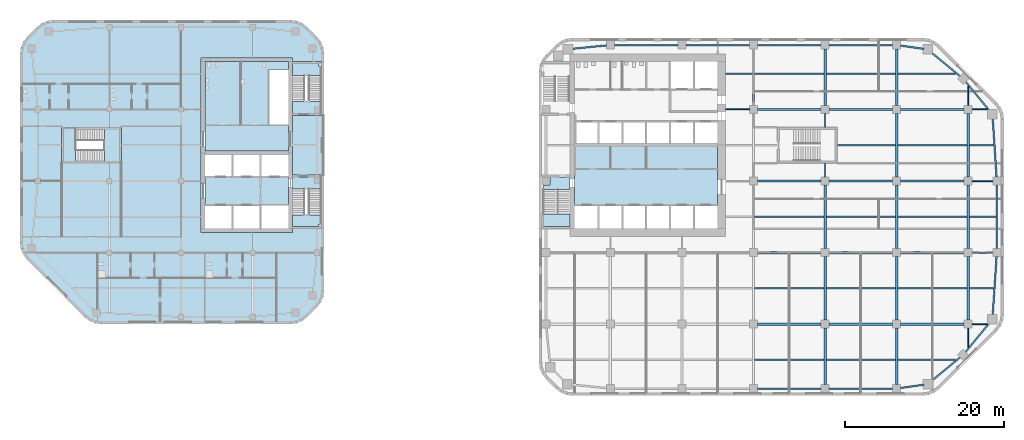
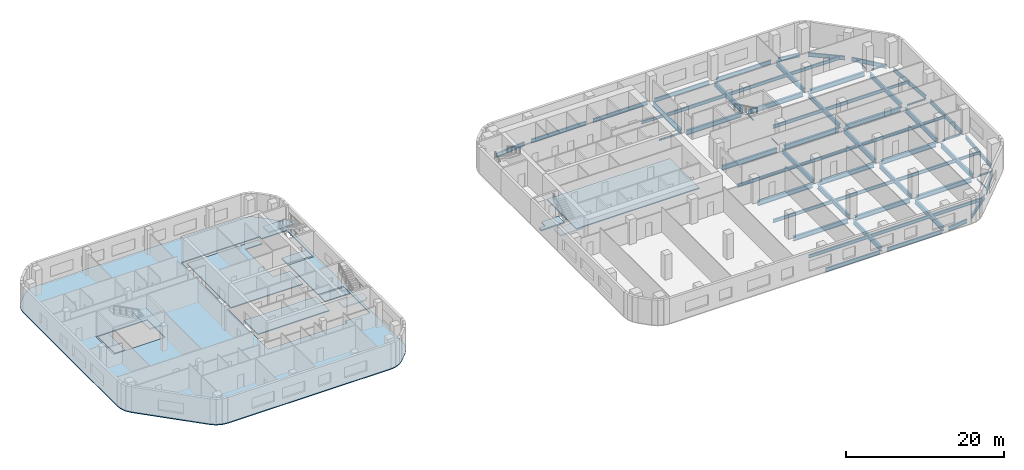
# One storey, part 3 of 15: 68 beams, 12 slabs, 4 elements without a shape of their own.
"""IFC4 building model written with IfcOpenShell, lengths in metres."""

from ifc_helpers import new_model, si_unit, direction, frame, origin, origin_2d, place, context, subcontext, project, spatial, polyline, i_section, outline, extrude, material, layer, layer_set, material_profile, profile_set, type_object, element, aggregate, save


model = new_model("IFC4")

# Units and contexts
model_context = context("Model", 3, precision=1e-05, world=origin(), true_north=direction((0.0, 1.0)))
body_context = subcontext(model_context, "Body", "Model", "MODEL_VIEW")
ifc_project = project(units=[si_unit("LENGTHUNIT", "METRE"), si_unit("AREAUNIT", "SQUARE_METRE"), si_unit("VOLUMEUNIT", "CUBIC_METRE"), si_unit("PLANEANGLEUNIT", "RADIAN"), si_unit("MASSUNIT", "GRAM", prefix="KILO")], contexts=[model_context])

# Site, building, storey
site_placement = place(None, origin())
site = spatial("IfcSite", under=ifc_project, at=site_placement, CompositionType="ELEMENT")
building_placement = place(site_placement, origin())
building = spatial("IfcBuilding", under=site, at=building_placement, Name="Cinnabar Reach Civic Tower", CompositionType="ELEMENT")
storey_placement = place(building_placement, frame((0.0, 0.0, 87.0)))
storey = spatial("IfcBuildingStorey", under=building, at=storey_placement, Name="L20", CompositionType="ELEMENT", Elevation=87.0)

# Beams
ifc_material_1 = material(Name="Steel Q355B", Category="steel")
ifc_material_profile_1 = material_profile(ifc_material_1, i_section(OverallWidth=0.099, OverallDepth=0.198, WebThickness=0.0045, FlangeThickness=0.007, FilletRadius=0.013, at=origin_2d()), Name="HN200x100x5.5x8")
ifc_profile_set_1 = profile_set([ifc_material_profile_1], Name="Steel Q355B")
beam_type_1 = type_object("IfcBeamType", Name="HN200x100x5.5x8 beam R 180", PredefinedType="BEAM", material=ifc_profile_set_1)
for number, where, z_axis, x_axis, name in (
    (1, (36.0, 27.502, -0.249), (0.0, 1.0, 0.0), (-1.0, 0.0, 0.0), "Girder T1 L20 15"),
    (2, (36.0, 33.752, -0.249), (0.0, 1.0, 0.0), (-1.0, 0.0, 0.0), "Girder T1 L20 16"),
):
    element("IfcBeam", number, at=place(storey_placement, frame(where, z_axis=z_axis, x_axis=x_axis)), inside=storey, type_object=beam_type_1, Name=name, PredefinedType="BEAM", context=body_context, shape_type="SweptSolid", body=[
        extrude(i_section(OverallWidth=0.099, OverallDepth=0.198, WebThickness=0.0045, FlangeThickness=0.007, FilletRadius=0.013, at=origin_2d()), origin(), (0.0, 0.0, 1.0), 1.746),
    ])
for number, where, z_axis, x_axis, name in (
    (3, (54.0, 6.0682, -0.249), (0.0, 1.0, 0.0), (-1.0, 0.0, 0.0), "Girder T1 L20 23"),
    (4, (54.0, 36.502, -0.249), (0.0, 1.0, 0.0), (-1.0, 0.0, 0.0), "Girder T1 L20 27"),
):
    element("IfcBeam", number, at=place(storey_placement, frame(where, z_axis=z_axis, x_axis=x_axis)), inside=storey, type_object=beam_type_1, Name=name, PredefinedType="BEAM", context=body_context, shape_type="SweptSolid", body=[
        extrude(i_section(OverallWidth=0.099, OverallDepth=0.198, WebThickness=0.0045, FlangeThickness=0.007, FilletRadius=0.013, at=origin_2d()), origin(), (0.0, 0.0, 1.0), 2.4298),
    ])
ifc_material_profile_2 = material_profile(ifc_material_1, i_section(OverallWidth=0.124, OverallDepth=0.248, WebThickness=0.005, FlangeThickness=0.008, FilletRadius=0.013, at=origin_2d()), Name="HN250x125x6x9")
ifc_profile_set_2 = profile_set([ifc_material_profile_2], Name="Steel Q355B")
beam_type_2 = type_object("IfcBeamType", Name="HN250x125x6x9 beam R 180", PredefinedType="BEAM", material=ifc_profile_set_2)
beam_1_placement = place(storey_placement, frame((54.502, 9.0, -0.274), z_axis=(1.0, 0.0, 0.0), x_axis=(0.0, 1.0, 0.0)))
element("IfcBeam", 5, at=beam_1_placement, inside=storey, type_object=beam_type_2, Name="Girder T1 L20 7", PredefinedType="BEAM", context=body_context, shape_type="SweptSolid", body=[
    extrude(i_section(OverallWidth=0.124, OverallDepth=0.248, WebThickness=0.005, FlangeThickness=0.008, FilletRadius=0.013, at=origin_2d()), origin(), (0.0, 0.0, 1.0), 1.9162),
])
for number, where, z_axis, x_axis, name in (
    (6, (54.502, 18.0, -0.274), (1.0, 0.0, 0.0), (0.0, 1.0, 0.0), "Girder T1 L20 14"),
    (7, (54.502, 27.0, -0.274), (1.0, 0.0, 0.0), (0.0, 1.0, 0.0), "Girder T1 L20 19"),
):
    element("IfcBeam", number, at=place(storey_placement, frame(where, z_axis=z_axis, x_axis=x_axis)), inside=storey, type_object=beam_type_2, Name=name, PredefinedType="BEAM", context=body_context, shape_type="SweptSolid", body=[
        extrude(i_section(OverallWidth=0.124, OverallDepth=0.248, WebThickness=0.005, FlangeThickness=0.008, FilletRadius=0.013, at=origin_2d()), origin(), (0.0, 0.0, 1.0), 2.596),
    ])
beam_2_placement = place(storey_placement, frame((23.502, 36.0, -0.274), z_axis=(1.0, 0.0, 0.0), x_axis=(0.0, 1.0, 0.0)))
element("IfcBeam", 8, at=beam_2_placement, inside=storey, type_object=beam_type_2, Name="Girder T1 L20 20", PredefinedType="BEAM", context=body_context, shape_type="SweptSolid", body=[
    extrude(i_section(OverallWidth=0.124, OverallDepth=0.248, WebThickness=0.005, FlangeThickness=0.008, FilletRadius=0.013, at=origin_2d()), origin(), (0.0, 0.0, 1.0), 2.996),
])
beam_3_placement = place(storey_placement, frame((54.502, 36.0, -0.274), z_axis=(1.0, 0.0, 0.0), x_axis=(0.0, 1.0, 0.0)))
element("IfcBeam", 9, at=beam_3_placement, inside=storey, type_object=beam_type_2, Name="Girder T1 L20 24", PredefinedType="BEAM", context=body_context, shape_type="SweptSolid", body=[
    extrude(i_section(OverallWidth=0.124, OverallDepth=0.248, WebThickness=0.005, FlangeThickness=0.008, FilletRadius=0.013, at=origin_2d()), origin(), (0.0, 0.0, 1.0), 1.9162),
])
ifc_material_profile_3 = material_profile(ifc_material_1, i_section(OverallWidth=0.2, OverallDepth=0.4, WebThickness=0.008, FlangeThickness=0.013, FilletRadius=0.016, at=origin_2d()), Name="HN400x200x8x13")
ifc_profile_set_3 = profile_set([ifc_material_profile_3], Name="Steel Q355B")
beam_type_3 = type_object("IfcBeamType", Name="HN400x200x8x13 beam R 180", PredefinedType="BEAM", material=ifc_profile_set_3)
beam_4_placement = place(storey_placement, frame((54.152, 13.5, -0.35), z_axis=(1.0, 0.0, 0.0), x_axis=(0.0, 1.0, 0.0)))
element("IfcBeam", 10, at=beam_4_placement, inside=storey, type_object=beam_type_3, Name="Secondary beam T1 L20 13", PredefinedType="BEAM", context=body_context, shape_type="SweptSolid", body=[
    extrude(i_section(OverallWidth=0.2, OverallDepth=0.4, WebThickness=0.008, FlangeThickness=0.013, FilletRadius=0.016, at=origin_2d()), origin(), (0.0, 0.0, 1.0), 3.0494),
])
beam_5_placement = place(storey_placement, frame((54.152, 22.5, -0.35), z_axis=(1.0, 0.0, 0.0), x_axis=(0.0, 1.0, 0.0)))
element("IfcBeam", 11, at=beam_5_placement, inside=storey, type_object=beam_type_3, Name="Secondary beam T1 L20 18", PredefinedType="BEAM", context=body_context, shape_type="SweptSolid", body=[
    extrude(i_section(OverallWidth=0.2, OverallDepth=0.4, WebThickness=0.008, FlangeThickness=0.013, FilletRadius=0.016, at=origin_2d()), origin(), (0.0, 0.0, 1.0), 3.346),
])
beam_6_placement = place(storey_placement, frame((54.152, 31.5, -0.35), z_axis=(1.0, 0.0, 0.0), x_axis=(0.0, 1.0, 0.0)))
element("IfcBeam", 12, at=beam_6_placement, inside=storey, type_object=beam_type_3, Name="Secondary beam T1 L20 24", PredefinedType="BEAM", context=body_context, shape_type="SweptSolid", body=[
    extrude(i_section(OverallWidth=0.2, OverallDepth=0.4, WebThickness=0.008, FlangeThickness=0.013, FilletRadius=0.016, at=origin_2d()), origin(), (0.0, 0.0, 1.0), 3.0494),
])
beam_7_placement = place(storey_placement, frame((23.502, 40.5, -0.35), z_axis=(1.0, 0.0, 0.0), x_axis=(0.0, 1.0, 0.0)))
element("IfcBeam", 13, at=beam_7_placement, inside=storey, type_object=beam_type_3, Name="Secondary beam T1 L20 25", PredefinedType="BEAM", context=body_context, shape_type="SweptSolid", body=[
    extrude(i_section(OverallWidth=0.2, OverallDepth=0.4, WebThickness=0.008, FlangeThickness=0.013, FilletRadius=0.016, at=origin_2d()), origin(), (0.0, 0.0, 1.0), 3.346),
])
ifc_material_profile_4 = material_profile(ifc_material_1, i_section(OverallWidth=0.2, OverallDepth=0.5, WebThickness=0.01, FlangeThickness=0.016, FilletRadius=0.016, at=origin_2d()), Name="HN500x200x10x16")
ifc_profile_set_4 = profile_set([ifc_material_profile_4], Name="Steel Q355B")
beam_type_4 = type_object("IfcBeamType", Name="HN500x200x10x16 beam R 180", PredefinedType="BEAM", material=ifc_profile_set_4)
for number, where, z_axis, x_axis, name in (
    (14, (27.152, 4.5, -0.4), (1.0, 0.0, 0.0), (0.0, 1.0, 0.0), "Secondary beam T1 L20 4"),
    (15, (36.152, 4.5, -0.4), (1.0, 0.0, 0.0), (0.0, 1.0, 0.0), "Secondary beam T1 L20 5"),
):
    element("IfcBeam", number, at=place(storey_placement, frame(where, z_axis=z_axis, x_axis=x_axis)), inside=storey, type_object=beam_type_4, Name=name, PredefinedType="BEAM", context=body_context, shape_type="SweptSolid", body=[
        extrude(i_section(OverallWidth=0.2, OverallDepth=0.5, WebThickness=0.01, FlangeThickness=0.016, FilletRadius=0.016, at=origin_2d()), origin(), (0.0, 0.0, 1.0), 8.696),
    ])
beam_8_placement = place(storey_placement, frame((45.152, 4.5, -0.4), z_axis=(1.0, 0.0, 0.0), x_axis=(0.0, 1.0, 0.0)))
element("IfcBeam", 16, at=beam_8_placement, inside=storey, type_object=beam_type_4, Name="Secondary beam T1 L20 6", PredefinedType="BEAM", context=body_context, shape_type="SweptSolid", body=[
    extrude(i_section(OverallWidth=0.2, OverallDepth=0.5, WebThickness=0.01, FlangeThickness=0.016, FilletRadius=0.016, at=origin_2d()), origin(), (0.0, 0.0, 1.0), 7.2798),
])
for number, where, z_axis, x_axis, name in (
    (17, (27.152, 13.5, -0.4), (1.0, 0.0, 0.0), (0.0, 1.0, 0.0), "Secondary beam T1 L20 10"),
    (18, (36.152, 13.5, -0.4), (1.0, 0.0, 0.0), (0.0, 1.0, 0.0), "Secondary beam T1 L20 11"),
    (19, (45.152, 13.5, -0.4), (1.0, 0.0, 0.0), (0.0, 1.0, 0.0), "Secondary beam T1 L20 12"),
    (20, (27.152, 22.5, -0.4), (1.0, 0.0, 0.0), (0.0, 1.0, 0.0), "Secondary beam T1 L20 15"),
    (21, (36.152, 22.5, -0.4), (1.0, 0.0, 0.0), (0.0, 1.0, 0.0), "Secondary beam T1 L20 16"),
    (22, (45.152, 22.5, -0.4), (1.0, 0.0, 0.0), (0.0, 1.0, 0.0), "Secondary beam T1 L20 17"),
):
    element("IfcBeam", number, at=place(storey_placement, frame(where, z_axis=z_axis, x_axis=x_axis)), inside=storey, type_object=beam_type_4, Name=name, PredefinedType="BEAM", context=body_context, shape_type="SweptSolid", body=[
        extrude(i_section(OverallWidth=0.2, OverallDepth=0.5, WebThickness=0.01, FlangeThickness=0.016, FilletRadius=0.016, at=origin_2d()), origin(), (0.0, 0.0, 1.0), 8.696),
    ])
beam_9_placement = place(storey_placement, frame((37.502, 31.5, -0.4), z_axis=(1.0, 0.0, 0.0), x_axis=(0.0, 1.0, 0.0)))
element("IfcBeam", 23, at=beam_9_placement, inside=storey, type_object=beam_type_4, Name="Secondary beam T1 L20 22", PredefinedType="BEAM", context=body_context, shape_type="SweptSolid", body=[
    extrude(i_section(OverallWidth=0.2, OverallDepth=0.5, WebThickness=0.01, FlangeThickness=0.016, FilletRadius=0.016, at=origin_2d()), origin(), (0.0, 0.0, 1.0), 7.346),
])
for number, where, z_axis, x_axis, name in (
    (24, (45.152, 31.5, -0.4), (1.0, 0.0, 0.0), (0.0, 1.0, 0.0), "Secondary beam T1 L20 23"),
    (25, (27.152, 40.5, -0.4), (1.0, 0.0, 0.0), (0.0, 1.0, 0.0), "Secondary beam T1 L20 26"),
    (26, (36.152, 40.5, -0.4), (1.0, 0.0, 0.0), (0.0, 1.0, 0.0), "Secondary beam T1 L20 27"),
):
    element("IfcBeam", number, at=place(storey_placement, frame(where, z_axis=z_axis, x_axis=x_axis)), inside=storey, type_object=beam_type_4, Name=name, PredefinedType="BEAM", context=body_context, shape_type="SweptSolid", body=[
        extrude(i_section(OverallWidth=0.2, OverallDepth=0.5, WebThickness=0.01, FlangeThickness=0.016, FilletRadius=0.016, at=origin_2d()), origin(), (0.0, 0.0, 1.0), 8.696),
    ])
beam_10_placement = place(storey_placement, frame((45.152, 40.5, -0.4), z_axis=(1.0, 0.0, 0.0), x_axis=(0.0, 1.0, 0.0)))
element("IfcBeam", 27, at=beam_10_placement, inside=storey, type_object=beam_type_4, Name="Secondary beam T1 L20 28", PredefinedType="BEAM", context=body_context, shape_type="SweptSolid", body=[
    extrude(i_section(OverallWidth=0.2, OverallDepth=0.5, WebThickness=0.01, FlangeThickness=0.016, FilletRadius=0.016, at=origin_2d()), origin(), (0.0, 0.0, 1.0), 7.2798),
])
ifc_material_profile_5 = material_profile(ifc_material_1, i_section(OverallWidth=0.2, OverallDepth=0.6, WebThickness=0.011, FlangeThickness=0.017, FilletRadius=0.016, at=origin_2d()), Name="HN600x200x11x17")
ifc_profile_set_5 = profile_set([ifc_material_profile_5], Name="Steel Q355B")
beam_type_5 = type_object("IfcBeamType", Name="HN600x200x11x17 beam R 180", PredefinedType="BEAM", material=ifc_profile_set_5)
for number, where, z_axis, x_axis, name in (
    (28, (27.502, 0.9, -0.45), (1.0, 0.0, 0.0), (0.0, 1.0, 0.0), "Edge beam T1 L20 4"),
    (29, (36.502, 0.9, -0.45), (1.0, 0.0, 0.0), (0.0, 1.0, 0.0), "Edge beam T1 L20 5"),
):
    element("IfcBeam", number, at=place(storey_placement, frame(where, z_axis=z_axis, x_axis=x_axis)), inside=storey, type_object=beam_type_5, Name=name, PredefinedType="BEAM", context=body_context, shape_type="SweptSolid", body=[
        extrude(i_section(OverallWidth=0.2, OverallDepth=0.6, WebThickness=0.011, FlangeThickness=0.017, FilletRadius=0.016, at=origin_2d()), origin(), (0.0, 0.0, 1.0), 7.996),
    ])
beam_11_placement = place(storey_placement, frame((45.502, 0.9712, -0.45), z_axis=(0.990082238922, 0.140489003738, 0.0), x_axis=(-0.140489003738, 0.990082238922, 0.0)))
element("IfcBeam", 30, at=beam_11_placement, inside=storey, type_object=beam_type_5, Name="Edge beam T1 L20 6", PredefinedType="BEAM", context=body_context, shape_type="SweptSolid", body=[
    extrude(i_section(OverallWidth=0.2, OverallDepth=0.6, WebThickness=0.011, FlangeThickness=0.017, FilletRadius=0.016, at=origin_2d()), origin(), (0.0, 0.0, 1.0), 2.9433),
])
for number, where, z_axis, x_axis, name in (
    (31, (49.3801, 1.8507, -0.45), (0.77143827905, 0.6363041581, 0.0), (-0.6363041581, 0.77143827905, 0.0), "Edge beam T1 L20 7"),
    (32, (53.6461, 5.4789, -0.45), (0.6363041581, 0.77143827905, 0.0), (-0.77143827905, 0.6363041581, 0.0), "Edge beam T1 L20 8"),
):
    element("IfcBeam", number, at=place(storey_placement, frame(where, z_axis=z_axis, x_axis=x_axis)), inside=storey, type_object=beam_type_5, Name=name, PredefinedType="BEAM", context=body_context, shape_type="SweptSolid", body=[
        extrude(i_section(OverallWidth=0.2, OverallDepth=0.6, WebThickness=0.011, FlangeThickness=0.017, FilletRadius=0.016, at=origin_2d()), origin(), (0.0, 0.0, 1.0), 4.7198),
    ])
beam_12_placement = place(storey_placement, frame((57.0786, 10.0839, -0.45), z_axis=(0.065718615968, 0.997838195057, 0.0), x_axis=(-0.997838195057, 0.065718615968, 0.0)))
element("IfcBeam", 33, at=beam_12_placement, inside=storey, type_object=beam_type_5, Name="Edge beam T1 L20 9", PredefinedType="BEAM", context=body_context, shape_type="SweptSolid", body=[
    extrude(i_section(OverallWidth=0.2, OverallDepth=0.6, WebThickness=0.011, FlangeThickness=0.017, FilletRadius=0.016, at=origin_2d()), origin(), (0.0, 0.0, 1.0), 7.4302),
])
beam_13_placement = place(storey_placement, frame((57.6, 18.502, -0.45), z_axis=(0.0, 1.0, 0.0), x_axis=(-1.0, 0.0, 0.0)))
element("IfcBeam", 34, at=beam_13_placement, inside=storey, type_object=beam_type_5, Name="Edge beam T1 L20 10", PredefinedType="BEAM", context=body_context, shape_type="SweptSolid", body=[
    extrude(i_section(OverallWidth=0.2, OverallDepth=0.6, WebThickness=0.011, FlangeThickness=0.017, FilletRadius=0.016, at=origin_2d()), origin(), (0.0, 0.0, 1.0), 7.996),
])
beam_14_placement = place(storey_placement, frame((57.5669, 27.502, -0.45), z_axis=(-0.065718615968, 0.997838195057, 0.0), x_axis=(-0.997838195057, -0.065718615968, 0.0)))
element("IfcBeam", 35, at=beam_14_placement, inside=storey, type_object=beam_type_5, Name="Edge beam T1 L20 11", PredefinedType="BEAM", context=body_context, shape_type="SweptSolid", body=[
    extrude(i_section(OverallWidth=0.2, OverallDepth=0.6, WebThickness=0.011, FlangeThickness=0.017, FilletRadius=0.016, at=origin_2d()), origin(), (0.0, 0.0, 1.0), 7.4302),
])
for number, where, z_axis, x_axis, name in (
    (36, (56.6493, 35.8801, -0.45), (-0.6363041581, 0.77143827905, 0.0), (-0.77143827905, -0.6363041581, 0.0), "Edge beam T1 L20 12"),
    (37, (53.0211, 40.1461, -0.45), (-0.77143827905, 0.6363041581, 0.0), (-0.6363041581, -0.77143827905, 0.0), "Edge beam T1 L20 13"),
):
    element("IfcBeam", number, at=place(storey_placement, frame(where, z_axis=z_axis, x_axis=x_axis)), inside=storey, type_object=beam_type_5, Name=name, PredefinedType="BEAM", context=body_context, shape_type="SweptSolid", body=[
        extrude(i_section(OverallWidth=0.2, OverallDepth=0.6, WebThickness=0.011, FlangeThickness=0.017, FilletRadius=0.016, at=origin_2d()), origin(), (0.0, 0.0, 1.0), 4.7198),
    ])
beam_15_placement = place(storey_placement, frame((48.4161, 43.6153, -0.45), z_axis=(-0.990082238922, 0.140489003738, 0.0), x_axis=(-0.140489003738, -0.990082238922, 0.0)))
element("IfcBeam", 38, at=beam_15_placement, inside=storey, type_object=beam_type_5, Name="Edge beam T1 L20 14", PredefinedType="BEAM", context=body_context, shape_type="SweptSolid", body=[
    extrude(i_section(OverallWidth=0.2, OverallDepth=0.6, WebThickness=0.011, FlangeThickness=0.017, FilletRadius=0.016, at=origin_2d()), origin(), (0.0, 0.0, 1.0), 2.9433),
])
for number, where, z_axis, x_axis, name in (
    (39, (44.498, 44.1, -0.45), (-1.0, 0.0, 0.0), (0.0, -1.0, 0.0), "Edge beam T1 L20 15"),
    (40, (35.498, 44.1, -0.45), (-1.0, 0.0, 0.0), (0.0, -1.0, 0.0), "Edge beam T1 L20 16"),
    (41, (26.498, 44.1, -0.45), (-1.0, 0.0, 0.0), (0.0, -1.0, 0.0), "Edge beam T1 L20 17"),
    (42, (17.498, 44.1, -0.45), (-1.0, 0.0, 0.0), (0.0, -1.0, 0.0), "Edge beam T1 L20 18"),
):
    element("IfcBeam", number, at=place(storey_placement, frame(where, z_axis=z_axis, x_axis=x_axis)), inside=storey, type_object=beam_type_5, Name=name, PredefinedType="BEAM", context=body_context, shape_type="SweptSolid", body=[
        extrude(i_section(OverallWidth=0.2, OverallDepth=0.6, WebThickness=0.011, FlangeThickness=0.017, FilletRadius=0.016, at=origin_2d()), origin(), (0.0, 0.0, 1.0), 7.996),
    ])
beam_16_placement = place(storey_placement, frame((8.498, 44.0505, -0.45), z_axis=(-0.995166374533, -0.098203294236, 0.0), x_axis=(0.098203294236, -0.995166374533, 0.0)))
element("IfcBeam", 43, at=beam_16_placement, inside=storey, type_object=beam_type_5, Name="Edge beam T1 L20 19", PredefinedType="BEAM", context=body_context, shape_type="SweptSolid", body=[
    extrude(i_section(OverallWidth=0.2, OverallDepth=0.6, WebThickness=0.011, FlangeThickness=0.017, FilletRadius=0.016, at=origin_2d()), origin(), (0.0, 0.0, 1.0), 4.3705),
])
ifc_material_profile_6 = material_profile(ifc_material_1, i_section(OverallWidth=0.3, OverallDepth=0.692, WebThickness=0.013, FlangeThickness=0.02, FilletRadius=0.016, at=origin_2d()), Name="HN692x300x13x20")
ifc_profile_set_6 = profile_set([ifc_material_profile_6], Name="Steel Q355B")
beam_type_6 = type_object("IfcBeamType", Name="HN692x300x13x20 beam R 180", PredefinedType="BEAM", material=ifc_profile_set_6)
for number, where, z_axis, x_axis, name in (
    (44, (27.0, 36.502, -0.496), (0.0, 1.0, 0.0), (-1.0, 0.0, 0.0), "Girder T1 L20 11"),
    (45, (36.0, 1.402, -0.496), (0.0, 1.0, 0.0), (-1.0, 0.0, 0.0), "Girder T1 L20 12"),
):
    element("IfcBeam", number, at=place(storey_placement, frame(where, z_axis=z_axis, x_axis=x_axis)), inside=storey, type_object=beam_type_6, Name=name, PredefinedType="BEAM", context=body_context, shape_type="SweptSolid", body=[
        extrude(i_section(OverallWidth=0.3, OverallDepth=0.692, WebThickness=0.013, FlangeThickness=0.02, FilletRadius=0.016, at=origin_2d()), origin(), (0.0, 0.0, 1.0), 7.096),
    ])
for number, where, z_axis, x_axis, name in (
    (46, (36.0, 9.502, -0.496), (0.0, 1.0, 0.0), (-1.0, 0.0, 0.0), "Girder T1 L20 13"),
    (47, (36.0, 18.502, -0.496), (0.0, 1.0, 0.0), (-1.0, 0.0, 0.0), "Girder T1 L20 14"),
):
    element("IfcBeam", number, at=place(storey_placement, frame(where, z_axis=z_axis, x_axis=x_axis)), inside=storey, type_object=beam_type_6, Name=name, PredefinedType="BEAM", context=body_context, shape_type="SweptSolid", body=[
        extrude(i_section(OverallWidth=0.3, OverallDepth=0.692, WebThickness=0.013, FlangeThickness=0.02, FilletRadius=0.016, at=origin_2d()), origin(), (0.0, 0.0, 1.0), 7.996),
    ])
for number, where, z_axis, x_axis, name in (
    (48, (36.0, 36.502, -0.496), (0.0, 1.0, 0.0), (-1.0, 0.0, 0.0), "Girder T1 L20 17"),
    (49, (45.0, 1.402, -0.496), (0.0, 1.0, 0.0), (-1.0, 0.0, 0.0), "Girder T1 L20 18"),
):
    element("IfcBeam", number, at=place(storey_placement, frame(where, z_axis=z_axis, x_axis=x_axis)), inside=storey, type_object=beam_type_6, Name=name, PredefinedType="BEAM", context=body_context, shape_type="SweptSolid", body=[
        extrude(i_section(OverallWidth=0.3, OverallDepth=0.692, WebThickness=0.013, FlangeThickness=0.02, FilletRadius=0.016, at=origin_2d()), origin(), (0.0, 0.0, 1.0), 7.096),
    ])
for number, where, z_axis, x_axis, name in (
    (50, (45.0, 9.502, -0.496), (0.0, 1.0, 0.0), (-1.0, 0.0, 0.0), "Girder T1 L20 19"),
    (51, (45.0, 18.502, -0.496), (0.0, 1.0, 0.0), (-1.0, 0.0, 0.0), "Girder T1 L20 20"),
    (52, (45.0, 27.502, -0.496), (0.0, 1.0, 0.0), (-1.0, 0.0, 0.0), "Girder T1 L20 21"),
):
    element("IfcBeam", number, at=place(storey_placement, frame(where, z_axis=z_axis, x_axis=x_axis)), inside=storey, type_object=beam_type_6, Name=name, PredefinedType="BEAM", context=body_context, shape_type="SweptSolid", body=[
        extrude(i_section(OverallWidth=0.3, OverallDepth=0.692, WebThickness=0.013, FlangeThickness=0.02, FilletRadius=0.016, at=origin_2d()), origin(), (0.0, 0.0, 1.0), 7.996),
    ])
beam_17_placement = place(storey_placement, frame((45.0, 36.502, -0.496), z_axis=(0.0, 1.0, 0.0), x_axis=(-1.0, 0.0, 0.0)))
element("IfcBeam", 53, at=beam_17_placement, inside=storey, type_object=beam_type_6, Name="Girder T1 L20 22", PredefinedType="BEAM", context=body_context, shape_type="SweptSolid", body=[
    extrude(i_section(OverallWidth=0.3, OverallDepth=0.692, WebThickness=0.013, FlangeThickness=0.02, FilletRadius=0.016, at=origin_2d()), origin(), (0.0, 0.0, 1.0), 7.096),
])
for number, where, z_axis, x_axis, name in (
    (54, (54.0, 9.502, -0.496), (0.0, 1.0, 0.0), (-1.0, 0.0, 0.0), "Girder T1 L20 24"),
    (55, (54.0, 18.502, -0.496), (0.0, 1.0, 0.0), (-1.0, 0.0, 0.0), "Girder T1 L20 25"),
    (56, (54.0, 27.502, -0.496), (0.0, 1.0, 0.0), (-1.0, 0.0, 0.0), "Girder T1 L20 26"),
):
    element("IfcBeam", number, at=place(storey_placement, frame(where, z_axis=z_axis, x_axis=x_axis)), inside=storey, type_object=beam_type_6, Name=name, PredefinedType="BEAM", context=body_context, shape_type="SweptSolid", body=[
        extrude(i_section(OverallWidth=0.3, OverallDepth=0.692, WebThickness=0.013, FlangeThickness=0.02, FilletRadius=0.016, at=origin_2d()), origin(), (0.0, 0.0, 1.0), 7.996),
    ])
ifc_material_profile_7 = material_profile(ifc_material_1, i_section(OverallWidth=0.3, OverallDepth=0.7, WebThickness=0.013, FlangeThickness=0.024, FilletRadius=0.02, at=origin_2d()), Name="HN700x300x13x24")
ifc_profile_set_7 = profile_set([ifc_material_profile_7], Name="Steel Q355B")
beam_type_7 = type_object("IfcBeamType", Name="HN700x300x13x24 beam R 180", PredefinedType="BEAM", material=ifc_profile_set_7)
for number, where, z_axis, x_axis, name in (
    (57, (27.502, 9.0, -0.5), (1.0, 0.0, 0.0), (0.0, 1.0, 0.0), "Girder T1 L20 4"),
    (58, (36.502, 9.0, -0.5), (1.0, 0.0, 0.0), (0.0, 1.0, 0.0), "Girder T1 L20 5"),
    (59, (45.502, 9.0, -0.5), (1.0, 0.0, 0.0), (0.0, 1.0, 0.0), "Girder T1 L20 6"),
    (60, (27.502, 18.0, -0.5), (1.0, 0.0, 0.0), (0.0, 1.0, 0.0), "Girder T1 L20 11"),
    (61, (36.502, 18.0, -0.5), (1.0, 0.0, 0.0), (0.0, 1.0, 0.0), "Girder T1 L20 12"),
    (62, (45.502, 18.0, -0.5), (1.0, 0.0, 0.0), (0.0, 1.0, 0.0), "Girder T1 L20 13"),
    (63, (27.502, 27.0, -0.5), (1.0, 0.0, 0.0), (0.0, 1.0, 0.0), "Girder T1 L20 16"),
    (64, (36.502, 27.0, -0.5), (1.0, 0.0, 0.0), (0.0, 1.0, 0.0), "Girder T1 L20 17"),
    (65, (45.502, 27.0, -0.5), (1.0, 0.0, 0.0), (0.0, 1.0, 0.0), "Girder T1 L20 18"),
    (66, (27.502, 36.0, -0.5), (1.0, 0.0, 0.0), (0.0, 1.0, 0.0), "Girder T1 L20 21"),
    (67, (36.502, 36.0, -0.5), (1.0, 0.0, 0.0), (0.0, 1.0, 0.0), "Girder T1 L20 22"),
    (68, (45.502, 36.0, -0.5), (1.0, 0.0, 0.0), (0.0, 1.0, 0.0), "Girder T1 L20 23"),
):
    element("IfcBeam", number, at=place(storey_placement, frame(where, z_axis=z_axis, x_axis=x_axis)), inside=storey, type_object=beam_type_7, Name=name, PredefinedType="BEAM", context=body_context, shape_type="SweptSolid", body=[
        extrude(i_section(OverallWidth=0.3, OverallDepth=0.7, WebThickness=0.013, FlangeThickness=0.024, FilletRadius=0.02, at=origin_2d()), origin(), (0.0, 0.0, 1.0), 7.996),
    ])

# Slab
ifc_material_2 = material(Name="Concrete C40", Category="concrete")
ifc_layer_1 = layer(ifc_material_2, 0.15)
ifc_layer_set_1 = layer_set([ifc_layer_1], Name="Composite floor slab 150 REI 120")
slab_type_1 = type_object("IfcSlabType", Name="Composite floor slab 150 REI 120", PredefinedType="FLOOR", material=ifc_layer_set_1)
slab_1_placement = place(storey_placement, frame((0.0, 0.0, -0.15)))
element("IfcSlab", 69, at=slab_1_placement, inside=storey, type_object=slab_type_1, Name="Composite floor slab 150 T2 L20", PredefinedType="FLOOR", context=body_context, shape_type="SweptSolid", body=[
    extrude(outline(polyline([(-64.3713, 17.1213), (-64.8481, 17.7426), (-65.1478, 18.4662), (-65.25, 19.2426), (-65.25, 43.0074), (-65.1478, 43.7838), (-64.8481, 44.5074), (-64.3713, 45.1287), (-63.1287, 46.3713), (-62.5074, 46.8481), (-61.7838, 47.1478), (-61.0074, 47.25), (-31.2426, 47.25), (-30.4662, 47.1478), (-29.7426, 46.8481), (-29.1213, 46.3713), (-27.8787, 45.1287), (-27.4019, 44.5074), (-27.1022, 43.7838), (-27.0, 43.0074), (-27.0, 13.2426), (-27.1022, 12.4662), (-27.4019, 11.7426), (-27.8787, 11.1213), (-29.1213, 9.8787), (-29.7426, 9.4019), (-30.4662, 9.1022), (-31.2426, 9.0), (-55.0074, 9.0), (-55.7838, 9.1022), (-56.5074, 9.4019), (-57.1287, 9.8787), (-64.3713, 17.1213)]), holes=[polyline([(-31.0, 27.75), (-31.0, 35.25), (-27.36, 35.25), (-27.36, 42.0), (-31.0, 42.0), (-31.0, 42.5), (-42.5, 42.5), (-42.5, 20.5), (-31.0, 20.5), (-31.0, 21.0), (-27.36, 21.0), (-27.36, 27.75), (-31.0, 27.75)]), polyline([(-60.0, 33.75), (-60.0, 29.25), (-52.5, 29.25), (-52.5, 33.75), (-60.0, 33.75)])]), origin(), (0.0, 0.0, 1.0), 0.15),
])

# Stair, slabs
ifc_material_3 = material(Name="Concrete C40/50", Category="concrete")
stair_type_1 = type_object("IfcStairType", Name="T1 Exit stair, half-turn", PredefinedType="HALF_TURN_STAIR", material=ifc_material_3)
stair_1_placement = place(storey_placement, origin())
stair_1 = element("IfcStair", 70, at=stair_1_placement, inside=storey, type_object=stair_type_1, Name="Stair T1-S1", PredefinedType="HALF_TURN_STAIR")
ifc_layer_2 = layer(ifc_material_3, 0.2)
ifc_layer_set_2 = layer_set([ifc_layer_2], Name="T1 Stair landing 200, Concrete C40/50")
slab_type_2 = type_object("IfcSlabType", Name="T1 Stair landing 200, Concrete C40/50", PredefinedType="LANDING", material=ifc_layer_set_2)
slab_2_placement = place(storey_placement, frame((0.0, 0.0, -0.2)))
slab_2 = element("IfcSlab", 71, at=slab_2_placement, type_object=slab_type_2, Name="T1-S1 landing 1", PredefinedType="LANDING", context=body_context, shape_type="SweptSolid", body=[
    extrude(outline(polyline([(3.9, 27.5), (3.9, 25.95), (0.5, 25.95), (0.5, 26.5), (1.4, 26.5), (1.4, 27.5), (3.9, 27.5)])), origin(), (0.0, 0.0, 1.0), 0.2),
])
slab_3_placement = place(storey_placement, frame((0.0, 0.0, 1.8)))
slab_3 = element("IfcSlab", 72, at=slab_3_placement, type_object=slab_type_2, Name="T1-S1 landing 2", PredefinedType="LANDING", context=body_context, shape_type="SweptSolid", body=[
    extrude(outline(polyline([(0.6, 21.25), (0.6, 22.87), (3.9, 22.87), (3.9, 21.25), (0.6, 21.25)])), origin(), (0.0, 0.0, 1.0), 0.2),
])
aggregate(stair_1, [slab_2, slab_3])

# Slabs
ifc_layer_3 = layer(ifc_material_3, 0.15)
ifc_layer_set_3 = layer_set([ifc_layer_3], Name="T1 core floor slab 150")
slab_type_3 = type_object("IfcSlabType", Name="T1 core floor slab 150", PredefinedType="FLOOR", material=ifc_layer_set_3)
slab_4_placement = place(storey_placement, frame((0.0, 0.0, -0.15)))
element("IfcSlab", 73, at=slab_4_placement, inside=storey, type_object=slab_type_3, Name="Core floor slab L20", PredefinedType="FLOOR", context=body_context, shape_type="SweptSolid", body=[
    extrude(outline(polyline([(22.5, 24.0), (19.5, 24.0), (16.5, 24.0), (13.5, 24.0), (10.5, 24.0), (7.5, 24.0), (4.5, 24.0), (4.5, 31.5), (7.5, 31.5), (10.5, 31.5), (13.5, 31.5), (16.5, 31.5), (19.5, 31.5), (22.5, 31.5), (22.5, 24.0)])), origin(), (0.0, 0.0, 1.0), 0.15),
])
ifc_layer_4 = layer(ifc_material_2, 0.15)
ifc_layer_set_4 = layer_set([ifc_layer_4], Name="T2 Core floor slab 150")
slab_type_4 = type_object("IfcSlabType", Name="T2 Core floor slab 150", PredefinedType="FLOOR", material=ifc_layer_set_4)
slab_5_placement = place(storey_placement, frame((0.0, 0.0, -0.15)))
element("IfcSlab", 74, at=slab_5_placement, inside=storey, type_object=slab_type_4, Name="Core floor slab L20", PredefinedType="FLOOR", context=body_context, shape_type="SweptSolid", body=[
    extrude(outline(polyline([(-42.0, 42.0), (-31.5, 42.0), (-31.5, 41.0), (-34.0, 41.0), (-34.0, 34.0), (-31.5, 34.0), (-31.5, 30.75), (-42.0, 30.75), (-42.0, 42.0)])), origin(), (0.0, 0.0, 1.0), 0.15),
])
slab_6_placement = place(storey_placement, frame((0.0, 0.0, -0.15)))
element("IfcSlab", 75, at=slab_6_placement, inside=storey, type_object=slab_type_4, Name="Core floor slab L20", PredefinedType="FLOOR", context=body_context, shape_type="SweptSolid", body=[
    extrude(outline(polyline([(-35.0, 24.0), (-38.5, 24.0), (-42.0, 24.0), (-42.0, 27.5), (-38.5, 27.5), (-35.0, 27.5), (-31.5, 27.5), (-31.5, 24.0), (-35.0, 24.0)])), origin(), (0.0, 0.0, 1.0), 0.15),
])

# Stair, slabs
stair_type_2 = type_object("IfcStairType", Name="T2 Exit stair 1500", PredefinedType="HALF_TURN_STAIR", material=ifc_material_2)
stair_2_placement = place(storey_placement, origin())
stair_2 = element("IfcStair", 76, at=stair_2_placement, inside=storey, type_object=stair_type_2, Name="Exit stair 1", PredefinedType="HALF_TURN_STAIR")
ifc_layer_5 = layer(ifc_material_2, 0.2)
ifc_layer_set_5 = layer_set([ifc_layer_5], Name="T2 Stair landing 200")
slab_type_5 = type_object("IfcSlabType", Name="T2 Stair landing 200", PredefinedType="LANDING", material=ifc_layer_set_5)
slab_7_placement = place(storey_placement, frame((0.0, 0.0, -0.2)))
slab_7 = element("IfcSlab", 77, at=slab_7_placement, type_object=slab_type_5, Name="ST1 landing 1", PredefinedType="LANDING", context=body_context, shape_type="SweptSolid", body=[
    extrude(outline(polyline([(-31.0, 26.0), (-31.0, 27.5), (-27.4, 27.5), (-27.4, 26.0), (-31.0, 26.0)])), origin(), (0.0, 0.0, 1.0), 0.2),
])
slab_8_placement = place(storey_placement, frame((0.0, 0.0, 1.8)))
slab_8 = element("IfcSlab", 78, at=slab_8_placement, type_object=slab_type_5, Name="ST1 landing 2", PredefinedType="LANDING", context=body_context, shape_type="SweptSolid", body=[
    extrude(outline(polyline([(-31.0, 21.25), (-31.0, 22.75), (-27.4, 22.75), (-27.4, 21.55), (-27.7, 21.55), (-27.7, 21.25), (-31.0, 21.25)])), origin(), (0.0, 0.0, 1.0), 0.2),
])
aggregate(stair_2, [slab_7, slab_8])

stair_3_placement = place(storey_placement, origin())
stair_3 = element("IfcStair", 79, at=stair_3_placement, inside=storey, type_object=stair_type_2, Name="Exit stair 2", PredefinedType="HALF_TURN_STAIR")
slab_9_placement = place(storey_placement, frame((0.0, 0.0, -0.2)))
slab_9 = element("IfcSlab", 80, at=slab_9_placement, type_object=slab_type_5, Name="ST2 landing 1", PredefinedType="LANDING", context=body_context, shape_type="SweptSolid", body=[
    extrude(outline(polyline([(-31.0, 35.5), (-31.0, 37.0), (-27.4, 37.0), (-27.4, 35.5), (-31.0, 35.5)])), origin(), (0.0, 0.0, 1.0), 0.2),
])
slab_10_placement = place(storey_placement, frame((0.0, 0.0, 1.8)))
slab_10 = element("IfcSlab", 81, at=slab_10_placement, type_object=slab_type_5, Name="ST2 landing 2", PredefinedType="LANDING", context=body_context, shape_type="SweptSolid", body=[
    extrude(outline(polyline([(-27.4, 40.25), (-31.0, 40.25), (-31.0, 41.75), (-27.7, 41.75), (-27.7, 41.45), (-27.4, 41.45), (-27.4, 40.25)])), origin(), (0.0, 0.0, 1.0), 0.2),
])
aggregate(stair_3, [slab_9, slab_10])

stair_4_placement = place(storey_placement, origin())
stair_4 = element("IfcStair", 82, at=stair_4_placement, inside=storey, type_object=stair_type_2, Name="Exit stair 3", PredefinedType="HALF_TURN_STAIR")
slab_11_placement = place(storey_placement, frame((0.0, 0.0, -0.2)))
slab_11 = element("IfcSlab", 83, at=slab_11_placement, type_object=slab_type_5, Name="ST3 landing 1", PredefinedType="LANDING", context=body_context, shape_type="SweptSolid", body=[
    extrude(outline(polyline([(-59.75, 29.375), (-59.75, 33.625), (-58.25, 33.625), (-58.25, 29.375), (-59.75, 29.375)])), origin(), (0.0, 0.0, 1.0), 0.2),
])
slab_12_placement = place(storey_placement, frame((0.0, 0.0, 1.8)))
slab_12 = element("IfcSlab", 84, at=slab_12_placement, type_object=slab_type_5, Name="ST3 landing 2", PredefinedType="LANDING", context=body_context, shape_type="SweptSolid", body=[
    extrude(outline(polyline([(-54.65, 29.375), (-54.65, 33.625), (-52.75, 33.625), (-52.75, 29.375), (-54.65, 29.375)])), origin(), (0.0, 0.0, 1.0), 0.2),
])
aggregate(stair_4, [slab_11, slab_12])

save(model, "model.ifc")
